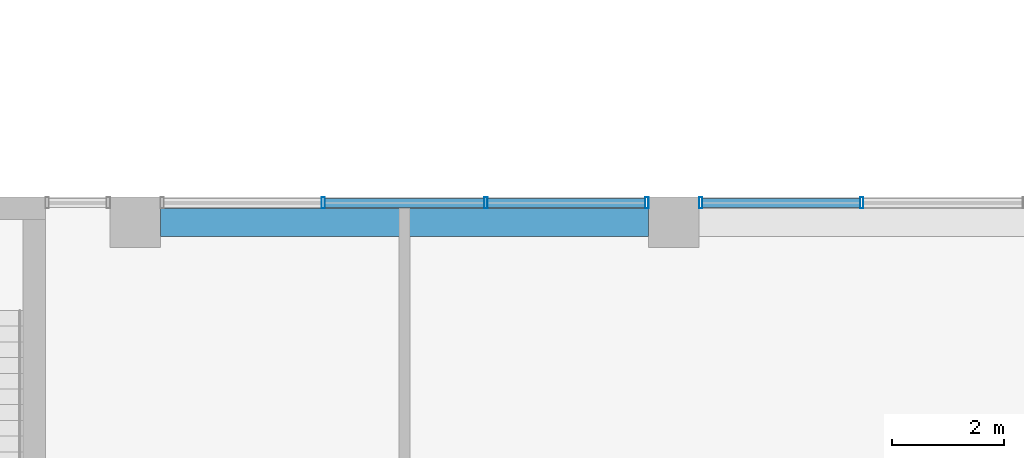
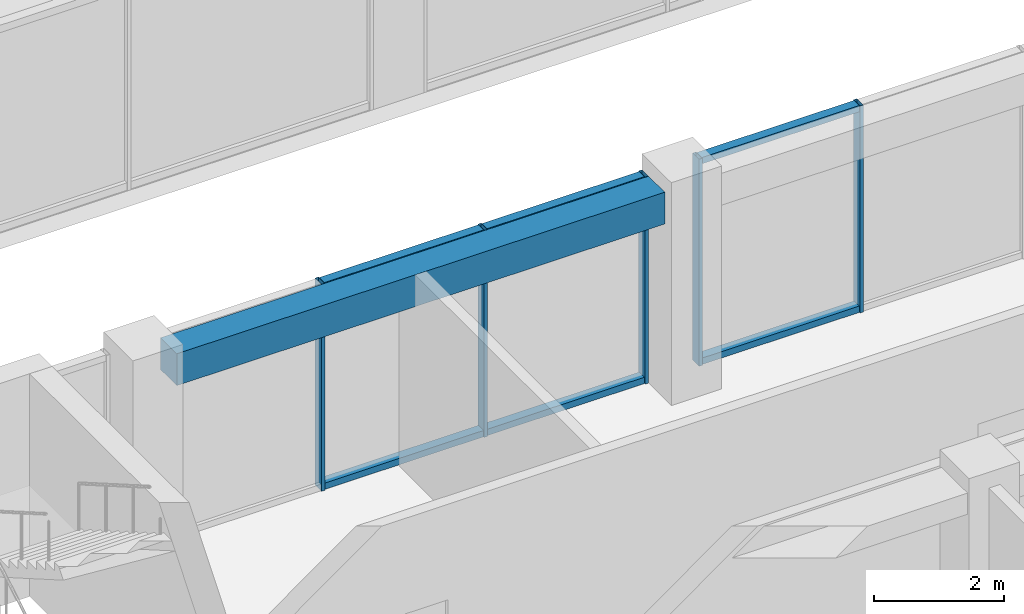
# One storey, part 16 of 37: 11 members, 1 beam, 2 elements without a shape of their own.
"""IFC4 building model written with IfcOpenShell, lengths in metres."""

from ifc_helpers import new_model, si_unit, direction, frame, origin, origin_2d, place, context, subcontext, project, spatial, rectangle, hollow_rectangle, extrude, material, layer, layer_set, material_profile, profile_set, type_object, element, aggregate, save


model = new_model("IFC4")

# Units and contexts
model_context = context("Model", 3, precision=1e-05, world=origin(), true_north=direction((0.0, 1.0)))
body_context = subcontext(model_context, "Body", "Model", "MODEL_VIEW")
ifc_project = project(units=[si_unit("LENGTHUNIT", "METRE"), si_unit("AREAUNIT", "SQUARE_METRE"), si_unit("VOLUMEUNIT", "CUBIC_METRE"), si_unit("PLANEANGLEUNIT", "RADIAN"), si_unit("MASSUNIT", "GRAM", prefix="KILO")], contexts=[model_context])

# Site, building, storey
site_placement = place(None, origin())
site = spatial("IfcSite", under=ifc_project, at=site_placement, CompositionType="ELEMENT")
building_placement = place(site_placement, origin())
building = spatial("IfcBuilding", under=site, at=building_placement, Name="Nzadi Deep Aquarium and Research Tower", CompositionType="ELEMENT")
storey_placement = place(building_placement, frame((0.0, 0.0, 57.10009765625)))
storey = spatial("IfcBuildingStorey", under=building, at=storey_placement, Name="L11", CompositionType="ELEMENT", Elevation=57.10009765625)

# Curtain wall, members
ifc_material_1 = material(Name="Aluminium unitised frame", Category="aluminium")
ifc_layer = layer(ifc_material_1, 0.199951171875)
ifc_layer_set = layer_set([ifc_layer], Name="Aluminium unitised frame")
curtain_wall_type = type_object("IfcCurtainWallType", Name="Curtain wall Unitised 200", PredefinedType="NOTDEFINED", material=ifc_layer_set)
curtain_wall_1_placement = place(storey_placement, origin())
curtain_wall_1 = element("IfcCurtainWall", 1, at=curtain_wall_1_placement, inside=storey, type_object=curtain_wall_type, Name="Unitised curtain wall blade A north L11", PredefinedType="NOTDEFINED")
ifc_material_2 = material(Name="Aluminium unitised frame", Category="aluminium")
ifc_material_profile_1 = material_profile(ifc_material_2, hollow_rectangle(XDim=0.199951171875, YDim=0.06005859375, WallThickness=0.0048828125, at=origin_2d()))
ifc_profile_set_1 = profile_set([ifc_material_profile_1], Name="Aluminium unitised frame")
member_type_1 = type_object("IfcMemberType", Name="Mullion 60x200 Unitised", PredefinedType="MULLION", material=ifc_profile_set_1)
member_1_placement = place(storey_placement, frame((32.14990234375, 18.75, 0.0), z_axis=(0.0, 0.0, 1.0), x_axis=(0.0, 1.0, 0.0)))
member_1 = element("IfcMember", 2, at=member_1_placement, type_object=member_type_1, Name="CW048 mullion 2", PredefinedType="MULLION", context=body_context, shape_type="SweptSolid", body=[
    extrude(hollow_rectangle(XDim=0.199951171875, YDim=0.06005859375, WallThickness=0.0048828125, at=origin_2d()), origin(), (0.0, 0.0, 1.0), 3.89990234375),
])
member_2_placement = place(storey_placement, frame((35.050048828125, 18.75, 0.0), z_axis=(0.0, 0.0, 1.0), x_axis=(0.0, 1.0, 0.0)))
member_2 = element("IfcMember", 3, at=member_2_placement, type_object=member_type_1, Name="CW048 mullion 3", PredefinedType="MULLION", context=body_context, shape_type="SweptSolid", body=[
    extrude(hollow_rectangle(XDim=0.199951171875, YDim=0.06005859375, WallThickness=0.0048828125, at=origin_2d()), origin(), (0.0, 0.0, 1.0), 3.89990234375),
])
member_3_placement = place(storey_placement, frame((37.919921875, 18.75, 0.0), z_axis=(0.0, 0.0, 1.0), x_axis=(0.0, 1.0, 0.0)))
member_3 = element("IfcMember", 4, at=member_3_placement, type_object=member_type_1, Name="CW048 mullion 4", PredefinedType="MULLION", context=body_context, shape_type="SweptSolid", body=[
    extrude(hollow_rectangle(XDim=0.199951171875, YDim=0.06005859375, WallThickness=0.0048828125, at=origin_2d()), origin(), (0.0, 0.0, 1.0), 3.89990234375),
])

curtain_wall_2_placement = place(storey_placement, origin())
curtain_wall_2 = element("IfcCurtainWall", 5, at=curtain_wall_2_placement, inside=storey, type_object=curtain_wall_type, Name="Unitised curtain wall blade A north L11", PredefinedType="NOTDEFINED")
member_4_placement = place(storey_placement, frame((38.8798828125, 18.75, 0.0), z_axis=(0.0, 0.0, 1.0), x_axis=(0.0, 1.0, 0.0)))
member_4 = element("IfcMember", 6, at=member_4_placement, type_object=member_type_1, Name="CW049 mullion 1", PredefinedType="MULLION", context=body_context, shape_type="SweptSolid", body=[
    extrude(hollow_rectangle(XDim=0.199951171875, YDim=0.06005859375, WallThickness=0.0048828125, at=origin_2d()), origin(), (0.0, 0.0, 1.0), 3.89990234375),
])
member_5_placement = place(storey_placement, frame((41.75, 18.75, 0.0), z_axis=(0.0, 0.0, 1.0), x_axis=(0.0, 1.0, 0.0)))
member_5 = element("IfcMember", 7, at=member_5_placement, type_object=member_type_1, Name="CW049 mullion 2", PredefinedType="MULLION", context=body_context, shape_type="SweptSolid", body=[
    extrude(hollow_rectangle(XDim=0.199951171875, YDim=0.06005859375, WallThickness=0.0048828125, at=origin_2d()), origin(), (0.0, 0.0, 1.0), 3.89990234375),
])

# Beam
ifc_material_3 = material(Name="Concrete C35/45", Category="concrete")
ifc_material_profile_2 = material_profile(ifc_material_3, rectangle(XDim=0.5, YDim=0.60009765625, at=origin_2d()))
ifc_profile_set_2 = profile_set([ifc_material_profile_2], Name="Concrete C35/45")
beam_type = type_object("IfcBeamType", Name="RC 500x600", PredefinedType="BEAM", material=ifc_profile_set_2)
beam_placement = place(storey_placement, frame((29.25, 18.39990234375, 3.599853515625), z_axis=(1.0, 0.0, 0.0), x_axis=(0.0, 1.0, 0.0)))
element("IfcBeam", 8, at=beam_placement, inside=storey, type_object=beam_type, Name="B-Z1-L11-L3-4", PredefinedType="BEAM", context=body_context, shape_type="SweptSolid", body=[
    extrude(rectangle(XDim=0.5, YDim=0.60009765625, at=origin_2d()), origin(), (0.0, 0.0, 1.0), 8.699951171875),
])

# Member
ifc_material_4 = material(Name="Aluminium unitised frame", Category="aluminium")
ifc_material_profile_3 = material_profile(ifc_material_4, hollow_rectangle(XDim=0.159912109375, YDim=0.1201171875, WallThickness=0.0048828125, at=origin_2d()))
ifc_profile_set_3 = profile_set([ifc_material_profile_3], Name="Aluminium unitised frame")
member_type_2 = type_object("IfcMemberType", Name="Transom 120x160 Unitised", PredefinedType="MULLION", material=ifc_profile_set_3)
member_6_placement = place(storey_placement, frame((32.179931640625, 18.75, 0.059814453125), z_axis=(1.0, 0.0, 0.0), x_axis=(0.0, 1.0, 0.0)))
member_6 = element("IfcMember", 9, at=member_6_placement, type_object=member_type_2, Name="CW048 transom 2.1", PredefinedType="MULLION", context=body_context, shape_type="SweptSolid", body=[
    extrude(hollow_rectangle(XDim=0.159912109375, YDim=0.1201171875, WallThickness=0.0048828125, at=origin_2d()), origin(), (0.0, 0.0, 1.0), 2.840087890625),
])

member_7_placement = place(storey_placement, frame((32.179931640625, 18.75, 3.83984375), z_axis=(1.0, 0.0, 0.0), x_axis=(0.0, 1.0, 0.0)))
member_7 = element("IfcMember", 10, at=member_7_placement, type_object=member_type_2, Name="CW048 transom 2.2", PredefinedType="MULLION", context=body_context, shape_type="SweptSolid", body=[
    extrude(hollow_rectangle(XDim=0.159912109375, YDim=0.1201171875, WallThickness=0.0048828125, at=origin_2d()), origin(), (0.0, 0.0, 1.0), 2.840087890625),
])

member_8_placement = place(storey_placement, frame((35.080078125, 18.75, 0.059814453125), z_axis=(1.0, 0.0, 0.0), x_axis=(0.0, 1.0, 0.0)))
member_8 = element("IfcMember", 11, at=member_8_placement, type_object=member_type_2, Name="CW048 transom 3.1", PredefinedType="MULLION", context=body_context, shape_type="SweptSolid", body=[
    extrude(hollow_rectangle(XDim=0.159912109375, YDim=0.1201171875, WallThickness=0.0048828125, at=origin_2d()), origin(), (0.0, 0.0, 1.0), 2.809814453125),
])

member_9_placement = place(storey_placement, frame((35.080078125, 18.75, 3.83984375), z_axis=(1.0, 0.0, 0.0), x_axis=(0.0, 1.0, 0.0)))
member_9 = element("IfcMember", 12, at=member_9_placement, type_object=member_type_2, Name="CW048 transom 3.2", PredefinedType="MULLION", context=body_context, shape_type="SweptSolid", body=[
    extrude(hollow_rectangle(XDim=0.159912109375, YDim=0.1201171875, WallThickness=0.0048828125, at=origin_2d()), origin(), (0.0, 0.0, 1.0), 2.809814453125),
])

aggregate(curtain_wall_1, [member_1, member_2, member_3, member_6, member_7, member_8, member_9])

member_10_placement = place(storey_placement, frame((38.909912109375, 18.75, 0.059814453125), z_axis=(1.0, 0.0, 0.0), x_axis=(0.0, 1.0, 0.0)))
member_10 = element("IfcMember", 13, at=member_10_placement, type_object=member_type_2, Name="CW049 transom 1.1", PredefinedType="MULLION", context=body_context, shape_type="SweptSolid", body=[
    extrude(hollow_rectangle(XDim=0.159912109375, YDim=0.1201171875, WallThickness=0.0048828125, at=origin_2d()), origin(), (0.0, 0.0, 1.0), 2.81005859375),
])

member_11_placement = place(storey_placement, frame((38.909912109375, 18.75, 3.83984375), z_axis=(1.0, 0.0, 0.0), x_axis=(0.0, 1.0, 0.0)))
member_11 = element("IfcMember", 14, at=member_11_placement, type_object=member_type_2, Name="CW049 transom 1.2", PredefinedType="MULLION", context=body_context, shape_type="SweptSolid", body=[
    extrude(hollow_rectangle(XDim=0.159912109375, YDim=0.1201171875, WallThickness=0.0048828125, at=origin_2d()), origin(), (0.0, 0.0, 1.0), 2.81005859375),
])

aggregate(curtain_wall_2, [member_4, member_5, member_10, member_11])

save(model, "model.ifc")
